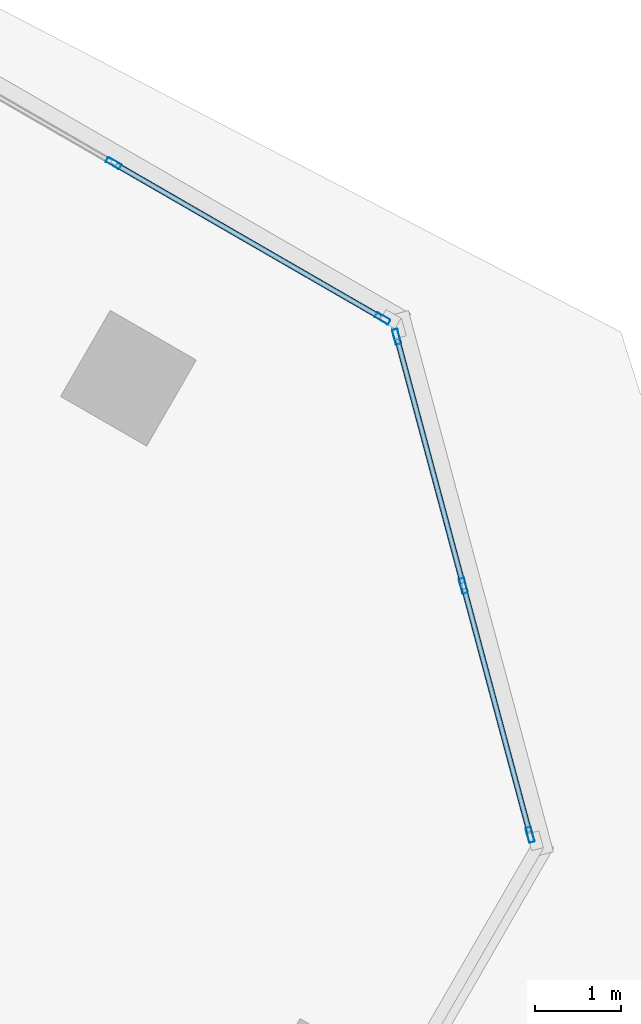
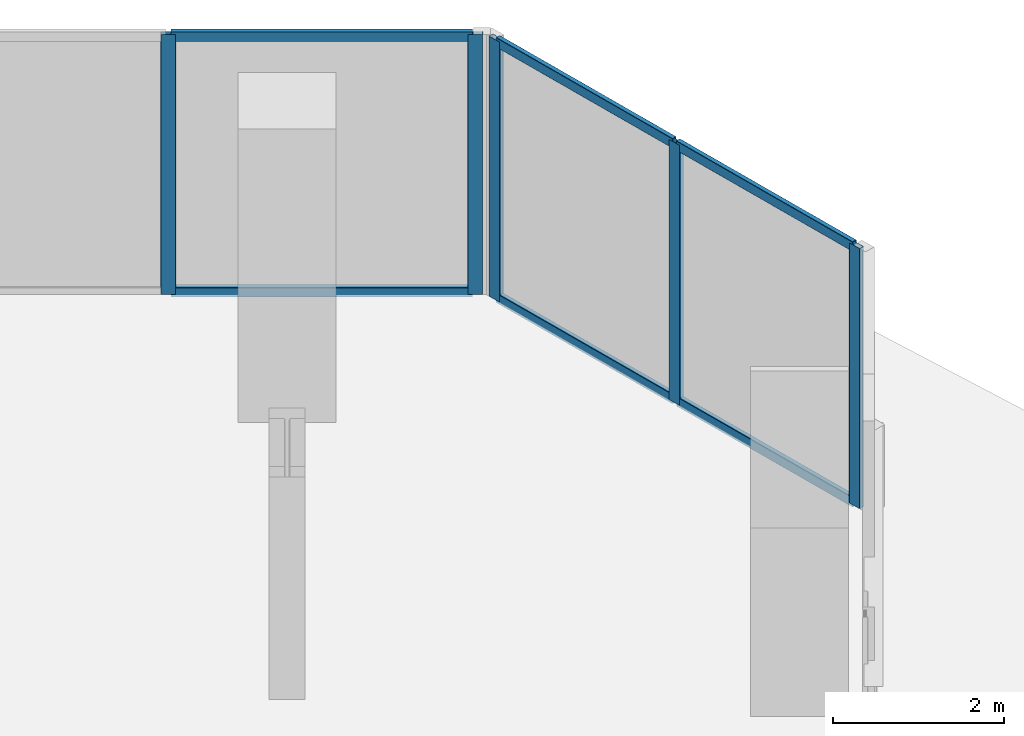
# One storey, part 11 of 21: 11 members, 2 elements without a shape of their own.
"""IFC4 building model written with IfcOpenShell, lengths in metres."""

from ifc_helpers import new_model, si_unit, direction, frame, origin, origin_2d, place, context, subcontext, project, spatial, hollow_rectangle, extrude, source, transform, mapped, material, material_profile, profile_set, type_object, element, aggregate, save


model = new_model("IFC4")

# Units and contexts
model_context = context("Model", 3, precision=1e-05, world=origin(), true_north=direction((0.0, 1.0)))
body_context = subcontext(model_context, "Body", "Model", "MODEL_VIEW")
ifc_project = project(units=[si_unit("LENGTHUNIT", "METRE"), si_unit("AREAUNIT", "SQUARE_METRE"), si_unit("VOLUMEUNIT", "CUBIC_METRE"), si_unit("PLANEANGLEUNIT", "RADIAN"), si_unit("MASSUNIT", "GRAM", prefix="KILO")], contexts=[model_context])

# Site, building, storey
site_placement = place(None, origin())
site = spatial("IfcSite", under=ifc_project, at=site_placement, CompositionType="ELEMENT")
building_placement = place(site_placement, origin())
building = spatial("IfcBuilding", under=site, at=building_placement, Name="Torre Montelarca", CompositionType="ELEMENT")
storey_placement = place(building_placement, frame((0.0, 0.0, 179.199951171875)))
storey = spatial("IfcBuildingStorey", under=building, at=storey_placement, Name="L40", CompositionType="ELEMENT", Elevation=179.199951171875)

# Curtain wall, members
ifc_material_1 = material(Name="Insulated low-E laminated glass", Category="glass")
curtain_wall_type = type_object("IfcCurtainWallType", Name="CW-SYS-Z2", PredefinedType="USERDEFINED", material=ifc_material_1)
curtain_wall_1_placement = place(storey_placement, origin())
curtain_wall_1 = element("IfcCurtainWall", 1, at=curtain_wall_1_placement, inside=storey, type_object=curtain_wall_type, Name="L40 Curtain Wall Run CW-T3-L40-E07-B1", ObjectType="UNITISED GLAZING", PredefinedType="USERDEFINED")
ifc_material_2 = material(Name="Anodised aluminium AA 6063-T6", Category="aluminium")
ifc_material_profile_1 = material_profile(ifc_material_2, hollow_rectangle(XDim=0.06494140625, YDim=0.139892578125, WallThickness=0.00390625, InnerFilletRadius=0.00390625, OuterFilletRadius=0.008056640625, at=origin_2d()), Name="ALU65X140X4", Category="aluminium")
ifc_profile_set_1 = profile_set([ifc_material_profile_1], Name="Anodised aluminium AA 6063-T6")
member_type_1 = type_object("IfcMemberType", Name="CWT-ALU140", PredefinedType="USERDEFINED", material=ifc_profile_set_1)
shared_shape_1 = source(origin(), body_context, "Body", "SweptSolid", [
    extrude(hollow_rectangle(XDim=0.06494140625, YDim=0.139892578125, WallThickness=0.00390625, InnerFilletRadius=0.00390625, OuterFilletRadius=0.008056640625, at=origin_2d()), origin(), (0.0, 0.0, 1.0), 2.91845703125),
])
member_1_placement = place(storey_placement, frame((50.893798828125, 28.621826171875, 0.032470703125), z_axis=(-0.258818317304, 0.965926021302, 0.0), x_axis=(-0.965926021302, -0.258818317304, 0.0)))
member_1 = element("IfcMember", 2, at=member_1_placement, type_object=member_type_1, Name="CW transom 1.1", ObjectType="TRANSOM", PredefinedType="USERDEFINED", context=body_context, shape_type="MappedRepresentation", body=[
    mapped(shared_shape_1, transform((0.0, 0.0, 0.0), scale=1.0)),
])
member_2_placement = place(storey_placement, frame((50.893798828125, 28.621826171875, 3.6875), z_axis=(-0.258818317304, 0.965926021302, 0.0), x_axis=(-0.965926021302, -0.258818317304, 0.0)))
member_2 = element("IfcMember", 3, at=member_2_placement, type_object=member_type_1, Name="CW transom 1.2", ObjectType="TRANSOM", PredefinedType="USERDEFINED", context=body_context, shape_type="MappedRepresentation", body=[
    mapped(shared_shape_1, transform((0.0, 0.0, 0.0), scale=1.0)),
])
member_3_placement = place(storey_placement, frame((50.12158203125, 31.50390625, 0.032470703125), z_axis=(-0.258818317304, 0.965926021302, 0.0), x_axis=(-0.965926021302, -0.258818317304, 0.0)))
member_3 = element("IfcMember", 4, at=member_3_placement, type_object=member_type_1, Name="CW transom 2.1", ObjectType="TRANSOM", PredefinedType="USERDEFINED", context=body_context, shape_type="MappedRepresentation", body=[
    mapped(shared_shape_1, transform((0.0, 0.0, 0.0), scale=1.0)),
])
member_4_placement = place(storey_placement, frame((50.12158203125, 31.50390625, 3.6875), z_axis=(-0.258818317304, 0.965926021302, 0.0), x_axis=(-0.965926021302, -0.258818317304, 0.0)))
member_4 = element("IfcMember", 5, at=member_4_placement, type_object=member_type_1, Name="CW transom 2.2", ObjectType="TRANSOM", PredefinedType="USERDEFINED", context=body_context, shape_type="MappedRepresentation", body=[
    mapped(shared_shape_1, transform((0.0, 0.0, 0.0), scale=1.0)),
])
ifc_material_profile_2 = material_profile(ifc_material_2, hollow_rectangle(XDim=0.06494140625, YDim=0.179931640625, WallThickness=0.00390625, InnerFilletRadius=0.00390625, OuterFilletRadius=0.008056640625, at=origin_2d()), Name="ALU65X180X4", Category="aluminium")
ifc_profile_set_2 = profile_set([ifc_material_profile_2], Name="Anodised aluminium AA 6063-T6")
member_type_2 = type_object("IfcMemberType", Name="CWM-ALU180", PredefinedType="MULLION", material=ifc_profile_set_2)
shared_shape_2 = source(origin(), body_context, "Body", "SweptSolid", [
    extrude(hollow_rectangle(XDim=0.06494140625, YDim=0.179931640625, WallThickness=0.00390625, InnerFilletRadius=0.00390625, OuterFilletRadius=0.008056640625, at=origin_2d()), origin(), (0.0, 0.0, 1.0), 3.719970703125),
])
member_5_placement = place(storey_placement, frame((50.902099609375, 28.590576171875, 0.0), z_axis=(0.0, 0.0, 1.0), x_axis=(-0.965927184196, -0.258813977273, 0.0)))
member_5 = element("IfcMember", 6, at=member_5_placement, type_object=member_type_2, Name="CW mullion 1", PredefinedType="MULLION", context=body_context, shape_type="MappedRepresentation", body=[
    mapped(shared_shape_2, transform((0.0, 0.0, 0.0), scale=1.0)),
])
member_6_placement = place(storey_placement, frame((50.1298828125, 31.472412109375, 0.0), z_axis=(0.0, 0.0, 1.0), x_axis=(-0.965927184196, -0.258813977273, 0.0)))
member_6 = element("IfcMember", 7, at=member_6_placement, type_object=member_type_2, Name="CW mullion 2", PredefinedType="MULLION", context=body_context, shape_type="MappedRepresentation", body=[
    mapped(shared_shape_2, transform((0.0, 0.0, 0.0), scale=1.0)),
])
member_7_placement = place(storey_placement, frame((49.35791015625, 34.354248046875, 0.0), z_axis=(0.0, 0.0, 1.0), x_axis=(-0.965927184196, -0.258813977273, 0.0)))
member_7 = element("IfcMember", 8, at=member_7_placement, type_object=member_type_2, Name="CW mullion 3", PredefinedType="MULLION", context=body_context, shape_type="MappedRepresentation", body=[
    mapped(shared_shape_2, transform((0.0, 0.0, 0.0), scale=1.0)),
])
aggregate(curtain_wall_1, [member_5, member_6, member_7, member_1, member_2, member_3, member_4])

curtain_wall_2_placement = place(storey_placement, origin())
curtain_wall_2 = element("IfcCurtainWall", 9, at=curtain_wall_2_placement, inside=storey, type_object=curtain_wall_type, Name="L40 Curtain Wall Run CW-T3-L40-E08-B1", ObjectType="UNITISED GLAZING", PredefinedType="USERDEFINED")
member_8_placement = place(storey_placement, frame((49.1953125, 34.566162109375, 0.0), z_axis=(0.0, 0.0, 1.0), x_axis=(-0.500001282416, -0.86602466338, 0.0)))
member_8 = element("IfcMember", 10, at=member_8_placement, type_object=member_type_2, Name="CW mullion 1", PredefinedType="MULLION", context=body_context, shape_type="MappedRepresentation", body=[
    mapped(shared_shape_2, transform((0.0, 0.0, 0.0), scale=1.0)),
])
member_9_placement = place(storey_placement, frame((46.082275390625, 36.363525390625, 0.0), z_axis=(0.0, 0.0, 1.0), x_axis=(-0.500001282416, -0.86602466338, 0.0)))
member_9 = element("IfcMember", 11, at=member_9_placement, type_object=member_type_2, Name="CW mullion 2", PredefinedType="MULLION", context=body_context, shape_type="MappedRepresentation", body=[
    mapped(shared_shape_2, transform((0.0, 0.0, 0.0), scale=1.0)),
])
shared_shape_3 = source(origin(), body_context, "Body", "SweptSolid", [
    extrude(hollow_rectangle(XDim=0.06494140625, YDim=0.139892578125, WallThickness=0.00390625, InnerFilletRadius=0.00390625, OuterFilletRadius=0.008056640625, at=origin_2d()), origin(), (0.0, 0.0, 1.0), 3.529541015625),
])
member_10_placement = place(storey_placement, frame((49.1669921875, 34.58251953125, 0.032470703125), z_axis=(-0.866038144413, 0.499977931934, 0.0), x_axis=(-0.499977931934, -0.866038144413, 0.0)))
member_10 = element("IfcMember", 12, at=member_10_placement, type_object=member_type_1, Name="CW transom 1.1", ObjectType="TRANSOM", PredefinedType="USERDEFINED", context=body_context, shape_type="MappedRepresentation", body=[
    mapped(shared_shape_3, transform((0.0, 0.0, 0.0), scale=1.0)),
])
member_11_placement = place(storey_placement, frame((49.1669921875, 34.58251953125, 3.6875), z_axis=(-0.866038144413, 0.499977931934, 0.0), x_axis=(-0.499977931934, -0.866038144413, 0.0)))
member_11 = element("IfcMember", 13, at=member_11_placement, type_object=member_type_1, Name="CW transom 1.2", ObjectType="TRANSOM", PredefinedType="USERDEFINED", context=body_context, shape_type="MappedRepresentation", body=[
    mapped(shared_shape_3, transform((0.0, 0.0, 0.0), scale=1.0)),
])
aggregate(curtain_wall_2, [member_8, member_9, member_10, member_11])

save(model, "model.ifc")
